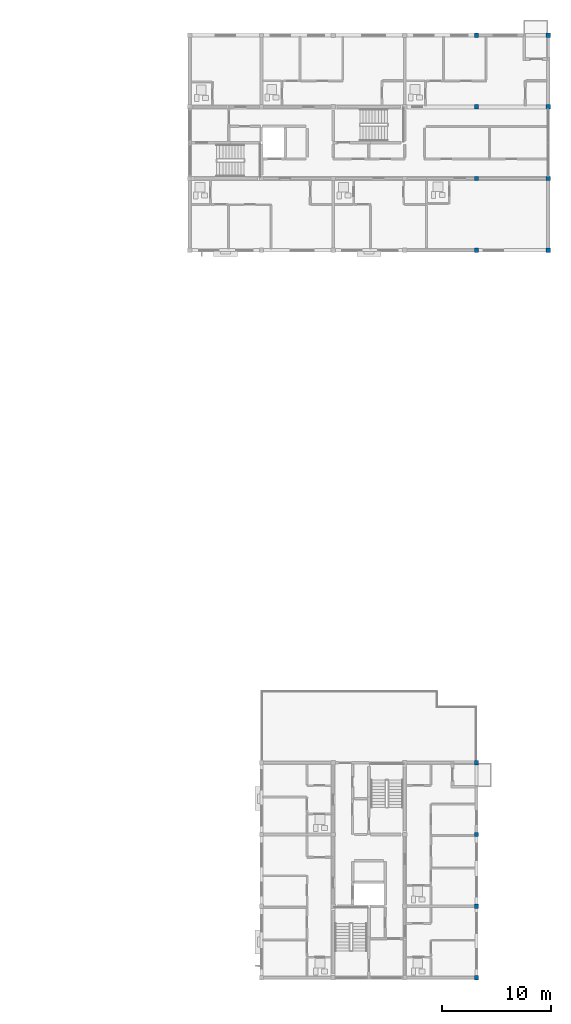
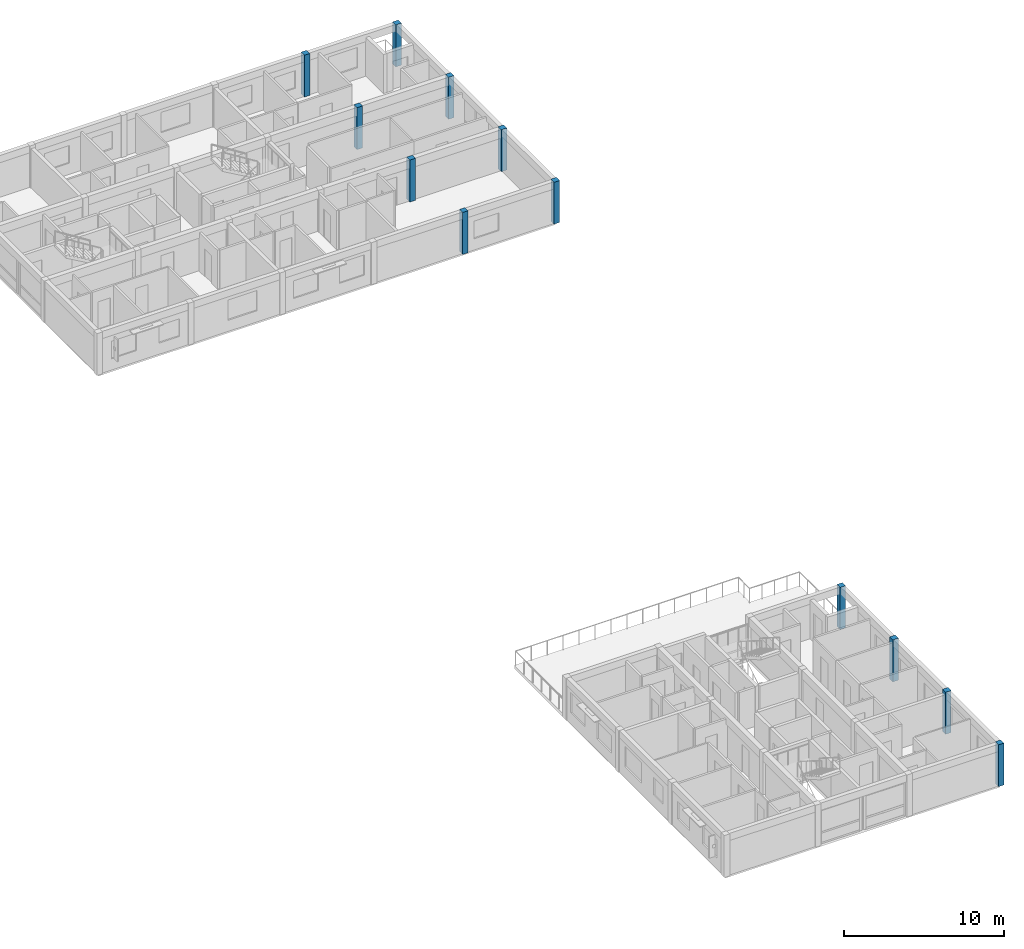
# One storey, part 3 of 37: 12 columns.
"""IFC4 building model written with IfcOpenShell, lengths in metres."""

from ifc_helpers import new_model, si_unit, direction, frame, origin, origin_2d, place, context, subcontext, project, spatial, rectangle, extrude, material, material_profile, profile_set, type_object, element, save


model = new_model("IFC4")

# Units and contexts
model_context = context("Model", 3, precision=1e-05, world=origin(), true_north=direction((0.0, 1.0)))
body_context = subcontext(model_context, "Body", "Model", "MODEL_VIEW")
ifc_project = project(units=[si_unit("LENGTHUNIT", "METRE"), si_unit("AREAUNIT", "SQUARE_METRE"), si_unit("VOLUMEUNIT", "CUBIC_METRE"), si_unit("PLANEANGLEUNIT", "RADIAN"), si_unit("MASSUNIT", "GRAM", prefix="KILO")], contexts=[model_context])

# Site, building, storey
site_placement = place(None, origin())
site = spatial("IfcSite", under=ifc_project, at=site_placement, CompositionType="ELEMENT")
building_placement = place(site_placement, origin())
building = spatial("IfcBuilding", under=site, at=building_placement, Name="Kernevlak Ridge Housing Community", CompositionType="ELEMENT")
storey_placement = place(building_placement, frame((0.0, 0.0, 37.199951171875)))
storey = spatial("IfcBuildingStorey", under=building, at=storey_placement, Name="L11", CompositionType="ELEMENT", Elevation=37.199951171875)

# Columns
ifc_material = material(Name="Concrete C35/45", Category="concrete")
ifc_material_profile = material_profile(ifc_material, rectangle(XDim=0.39990234375, YDim=0.39990234375, at=origin_2d()), Name="RC 400x400")
ifc_profile_set = profile_set([ifc_material_profile], Name="Concrete C35/45")
column_type = type_object("IfcColumnType", Name="C-05", PredefinedType="COLUMN", material=ifc_profile_set)
for number, where, z_axis, x_axis, name in (
    (1, (145.800048828125, 82.60009765625, 0.0), (0.0, 0.0, 1.0), (1.0, 0.0, 0.0), "Column C-05 COL-B-L11-04-0"),
    (2, (145.800048828125, 89.199951171875, 0.0), (0.0, 0.0, 1.0), (1.0, 0.0, 0.0), "Column C-05 COL-B-L11-04-1"),
    (3, (145.800048828125, 95.800048828125, 0.0), (0.0, 0.0, 1.0), (1.0, 0.0, 0.0), "Column C-05 COL-B-L11-04-2"),
    (4, (145.800048828125, 102.39990234375, 0.0), (0.0, 0.0, 1.0), (1.0, 0.0, 0.0), "Column C-05 COL-B-L11-04-3"),
    (5, (152.39990234375, 82.60009765625, 0.0), (0.0, 0.0, 1.0), (1.0, 0.0, 0.0), "Column C-05 COL-B-L11-05-0"),
    (6, (152.39990234375, 89.199951171875, 0.0), (0.0, 0.0, 1.0), (1.0, 0.0, 0.0), "Column C-05 COL-B-L11-05-1"),
    (7, (152.39990234375, 95.800048828125, 0.0), (0.0, 0.0, 1.0), (1.0, 0.0, 0.0), "Column C-05 COL-B-L11-05-2"),
    (8, (152.39990234375, 102.39990234375, 0.0), (0.0, 0.0, 1.0), (1.0, 0.0, 0.0), "Column C-05 COL-B-L11-05-3"),
    (9, (145.800048828125, 15.60009765625, 0.0), (0.0, 0.0, 1.0), (1.0, 0.0, 0.0), "Column C-05 COL-C-L11-00-3"),
    (10, (145.800048828125, 22.199951171875, 0.0), (0.0, 0.0, 1.0), (1.0, 0.0, 0.0), "Column C-05 COL-C-L11-01-3"),
    (11, (145.800048828125, 28.800048828125, 0.0), (0.0, 0.0, 1.0), (1.0, 0.0, 0.0), "Column C-05 COL-C-L11-02-3"),
    (12, (145.800048828125, 35.39990234375, 0.0), (0.0, 0.0, 1.0), (1.0, 0.0, 0.0), "Column C-05 COL-C-L11-03-3"),
):
    element("IfcColumn", number, at=place(storey_placement, frame(where, z_axis=z_axis, x_axis=x_axis)), inside=storey, type_object=column_type, Name=name, PredefinedType="COLUMN", context=body_context, shape_type="SweptSolid", body=[
        extrude(rectangle(XDim=0.39990234375, YDim=0.39990234375, at=origin_2d()), origin(), (0.0, 0.0, 1.0), 3.199951171875),
    ])

save(model, "model.ifc")
